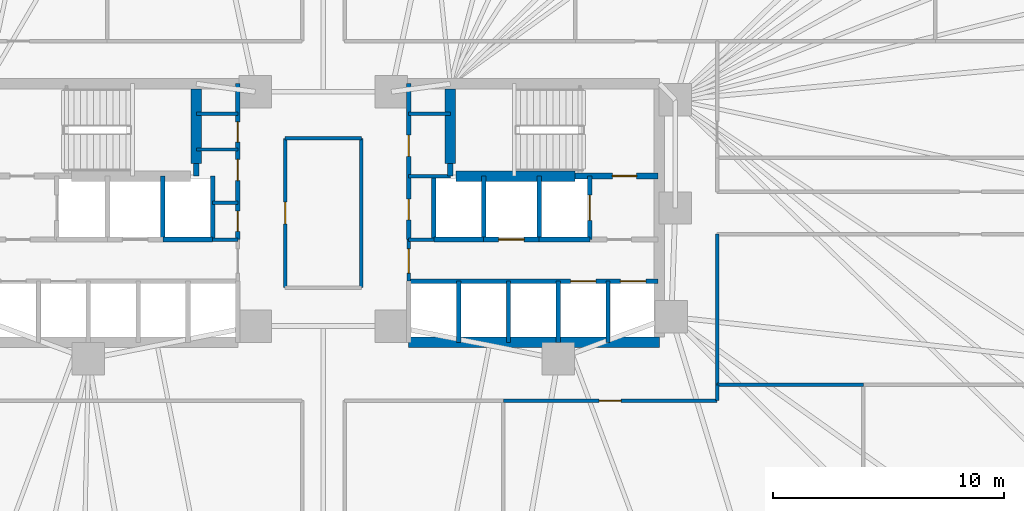
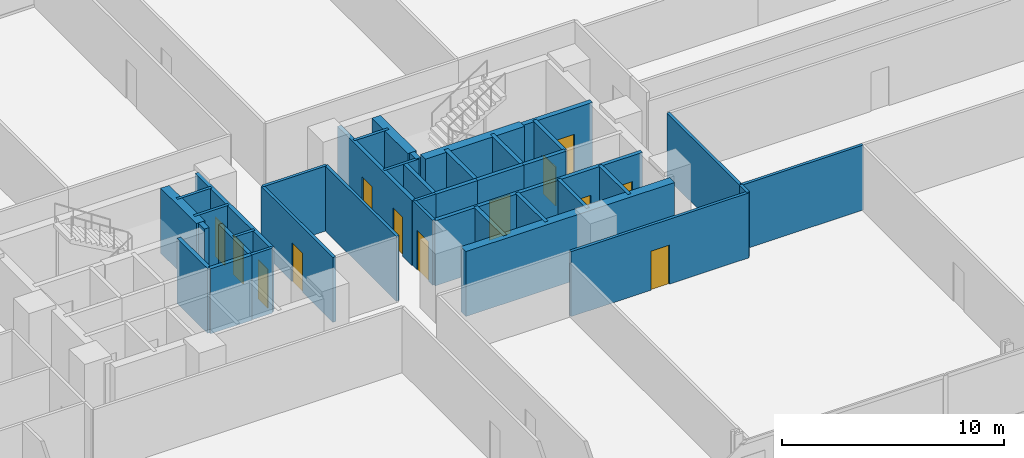
# One storey, part 13 of 17: 39 walls, 13 doors, 13 openings.
"""IFC4 building model written with IfcOpenShell, lengths in metres."""

from ifc_helpers import new_model, si_unit, direction, frame, frame_2d, origin, place, context, subcontext, project, spatial, rectangle, extrude, material, layer, layer_set, type_object, element, fill, save


model = new_model("IFC4")

# Units and contexts
model_context = context("Model", 3, precision=1e-05, world=origin(), true_north=direction((0.0, 1.0)))
body_context = subcontext(model_context, "Body", "Model", "MODEL_VIEW")
ifc_project = project(units=[si_unit("LENGTHUNIT", "METRE"), si_unit("AREAUNIT", "SQUARE_METRE"), si_unit("VOLUMEUNIT", "CUBIC_METRE"), si_unit("PLANEANGLEUNIT", "RADIAN"), si_unit("MASSUNIT", "GRAM", prefix="KILO")], contexts=[model_context])

# Site, building, storey
site_placement = place(None, origin())
site = spatial("IfcSite", under=ifc_project, at=site_placement, CompositionType="ELEMENT")
building_placement = place(site_placement, origin())
building = spatial("IfcBuilding", under=site, at=building_placement, Name="Menara Jurai Vektor", CompositionType="ELEMENT")
storey_placement = place(building_placement, frame((0.0, 0.0, 21.800048828125)))
storey = spatial("IfcBuildingStorey", under=building, at=storey_placement, Name="L04", CompositionType="ELEMENT", Elevation=21.800048828125)

# Wall
ifc_material_1 = material(Name="Concrete C40/50", Category="concrete")
ifc_layer_1 = layer(ifc_material_1, 0.25)
ifc_layer_set_1 = layer_set([ifc_layer_1], Name="Concrete C40/50")
wall_type_1 = type_object("IfcWallType", Name="INT-WALL-CORE-250", PredefinedType="STANDARD", material=ifc_layer_set_1)
wall_1_placement = place(storey_placement, frame((-5.5, 1.60009765625, 0.0), z_axis=(0.0, 0.0, 1.0), x_axis=(0.0, 1.0, 0.0)))
element("IfcWall", 1, at=wall_1_placement, inside=storey, type_object=wall_type_1, Name="Interior Wall IW-250 L04", PredefinedType="STANDARD", context=body_context, shape_type="SweptSolid", body=[
    extrude(rectangle(XDim=0.5498046875, YDim=0.25, at=frame_2d((0.27490234375, 0.0))), origin(), (0.0, 0.0, 1.0), 3.574951171875),
])

# Wall, opening, door
wall_2_placement = place(storey_placement, frame((10.89990234375, 1.60009765625, 0.0), z_axis=(0.0, 0.0, 1.0), x_axis=(1.0, 0.0, 0.0)))
wall_2 = element("IfcWall", 2, at=wall_2_placement, inside=storey, type_object=wall_type_1, Name="Interior Wall IW-250 L04", PredefinedType="STANDARD", context=body_context, shape_type="SweptSolid", body=[
    extrude(rectangle(XDim=3.60009765625, YDim=0.25, at=frame_2d((1.800048828125, 0.0))), origin(), (0.0, 0.0, 1.0), 3.574951171875),
])
opening_1_placement = place(wall_2_placement, frame((1.6201171875, 0.0, 0.0)))
opening_1 = element("IfcOpeningElement", 3, at=opening_1_placement, cuts=wall_2, Name="Opening D-L04-ST2", PredefinedType="OPENING", context=body_context, shape_type="SweptSolid", body=[
    extrude(rectangle(XDim=1.050048828125, YDim=2.14990234375, at=frame_2d((0.52490234375, 1.074951171875))), frame((0.0, 0.135009765625, 0.0), z_axis=(0.0, -1.0, 0.0), x_axis=(1.0, 0.0, 0.0)), (0.0, 0.0, 1.0), 0.27001953125),
])
ifc_material_2 = material(Name="Fire-Rated Steel Door", Category="steel")
door_type_1 = type_object("IfcDoorType", Name="DR-STAIR-1050", OperationType="NOTDEFINED", PredefinedType="DOOR", material=ifc_material_2)
door_1_placement = place(opening_1_placement, origin())
door_1 = element("IfcDoor", 4, at=door_1_placement, inside=storey, type_object=door_type_1, Name="Exit Stair ST2 Door L04", OperationType="SINGLE_SWING_LEFT", OverallHeight=2.14990234375, OverallWidth=1.050048828125, PredefinedType="DOOR", context=body_context, shape_type="SweptSolid", body=[
    extrude(rectangle(XDim=1.050048828125, YDim=2.14990234375, at=frame_2d((0.52490234375, 1.074951171875))), frame((0.0, 0.02490234375, 0.0), z_axis=(0.0, -1.0, 0.0), x_axis=(1.0, 0.0, 0.0)), (0.0, 0.0, 1.0), 0.050048828125),
])
fill(opening_1, door_1)

# Wall
wall_3_placement = place(storey_placement, frame((5.5, 1.60009765625, 0.0), z_axis=(0.0, 0.0, 1.0), x_axis=(0.0, 1.0, 0.0)))
element("IfcWall", 5, at=wall_3_placement, inside=storey, type_object=wall_type_1, Name="Interior Wall IW-250 L04", PredefinedType="STANDARD", context=body_context, shape_type="SweptSolid", body=[
    extrude(rectangle(XDim=0.5498046875, YDim=0.25, at=frame_2d((0.27490234375, 0.0))), origin(), (0.0, 0.0, 1.0), 3.574951171875),
])

# Wall, opening, door
wall_4_placement = place(storey_placement, frame((11.550048828125, -1.14990234375, 0.0), z_axis=(0.0, 0.0, 1.0), x_axis=(0.0, 1.0, 0.0)))
wall_4 = element("IfcWall", 6, at=wall_4_placement, inside=storey, type_object=wall_type_1, Name="Interior Wall IW-250 L04", PredefinedType="STANDARD", context=body_context, shape_type="SweptSolid", body=[
    extrude(rectangle(XDim=2.75, YDim=0.199951171875, at=frame_2d((1.375, 0.0))), origin(), (0.0, 0.0, 1.0), 3.574951171875),
])
opening_2_placement = place(wall_4_placement, frame((0.824951171875, 0.0, 0.0)))
opening_2 = element("IfcOpeningElement", 7, at=opening_2_placement, cuts=wall_4, Name="Opening LD-L04-FL2", PredefinedType="OPENING", context=body_context, shape_type="SweptSolid", body=[
    extrude(rectangle(XDim=1.10009765625, YDim=2.14990234375, at=frame_2d((0.550048828125, 1.074951171875))), frame((0.0, 0.10986328125, 0.0), z_axis=(0.0, -1.0, 0.0), x_axis=(1.0, 0.0, 0.0)), (0.0, 0.0, 1.0), 0.219970703125),
])
ifc_material_3 = material(Name="Stainless Steel Sliding Lift Landing Door", Category="steel")
door_type_2 = type_object("IfcDoorType", Name="DR-LIFT-FIRE-1100", OperationType="NOTDEFINED", PredefinedType="DOOR", material=ifc_material_3)
door_2_placement = place(opening_2_placement, origin())
door_2 = element("IfcDoor", 8, at=door_2_placement, inside=storey, type_object=door_type_2, Name="Lift Landing Door FL2 L04", OperationType="SLIDING_TO_RIGHT", OverallHeight=2.14990234375, OverallWidth=1.10009765625, PredefinedType="DOOR", context=body_context, shape_type="SweptSolid", body=[
    extrude(rectangle(XDim=1.10009765625, YDim=2.14990234375, at=frame_2d((0.550048828125, 1.074951171875))), frame((0.0, 0.02490234375, 0.0), z_axis=(0.0, -1.0, 0.0), x_axis=(1.0, 0.0, 0.0)), (0.0, 0.0, 1.0), 0.050048828125),
])
fill(opening_2, door_2)

# Walls
wall_5_placement = place(storey_placement, frame((9.35009765625, -1.14990234375, 0.0), z_axis=(0.0, 0.0, 1.0), x_axis=(0.0, 1.0, 0.0)))
element("IfcWall", 9, at=wall_5_placement, inside=storey, type_object=wall_type_1, Name="Interior Wall IW-250 L04", PredefinedType="STANDARD", context=body_context, shape_type="SweptSolid", body=[
    extrude(rectangle(XDim=2.75, YDim=0.199951171875, at=frame_2d((1.375, 0.0))), origin(), (0.0, 0.0, 1.0), 3.574951171875),
])
wall_6_placement = place(storey_placement, frame((9.35009765625, -1.14990234375, 0.0), z_axis=(0.0, 0.0, 1.0), x_axis=(1.0, 0.0, 0.0)))
element("IfcWall", 10, at=wall_6_placement, inside=storey, type_object=wall_type_1, Name="Interior Wall IW-250 L04", PredefinedType="STANDARD", context=body_context, shape_type="SweptSolid", body=[
    extrude(rectangle(XDim=2.199951171875, YDim=0.199951171875, at=frame_2d((1.10009765625, 0.0))), origin(), (0.0, 0.0, 1.0), 3.574951171875),
])
ifc_material_4 = material(Name="Gypsum Fireboard Partition", Category="gypsum")
ifc_layer_2 = layer(ifc_material_4, 0.14990234375)
ifc_layer_set_2 = layer_set([ifc_layer_2], Name="Gypsum Fireboard Partition")
wall_type_2 = type_object("IfcWallType", Name="INT-WALL-CORR-150", PredefinedType="PARTITIONING", material=ifc_layer_set_2)
wall_7_placement = place(storey_placement, frame((-4.7900390625, -1.14990234375, 0.0), z_axis=(0.0, 0.0, 1.0), x_axis=(1.0, 0.0, 0.0)))
element("IfcWall", 11, at=wall_7_placement, inside=storey, type_object=wall_type_2, Name="Interior Wall IW-150 L04", PredefinedType="PARTITIONING", context=body_context, shape_type="SweptSolid", body=[
    extrude(rectangle(XDim=1.090087890625, YDim=0.14990234375, at=frame_2d((0.544921875, 0.0))), origin(), (0.0, 0.0, 1.0), 3.574951171875),
])

# Wall, opening, door
wall_8_placement = place(storey_placement, frame((3.699951171875, -2.949951171875, 0.0), z_axis=(0.0, 0.0, 1.0), x_axis=(0.0, 1.0, 0.0)))
wall_8 = element("IfcWall", 12, at=wall_8_placement, inside=storey, type_object=wall_type_2, Name="Interior Wall IW-150 L04", PredefinedType="PARTITIONING", context=body_context, shape_type="SweptSolid", body=[
    extrude(rectangle(XDim=1.800048828125, YDim=0.14990234375, at=frame_2d((0.89990234375, 0.0))), origin(), (0.0, 0.0, 1.0), 3.574951171875),
])
opening_3_placement = place(wall_8_placement, frame((0.35009765625, 0.0, 0.0)))
opening_3 = element("IfcOpeningElement", 13, at=opening_3_placement, cuts=wall_8, Name="Opening D-L04-LLE", PredefinedType="OPENING", context=body_context, shape_type="SweptSolid", body=[
    extrude(rectangle(XDim=1.050048828125, YDim=2.179931640625, at=frame_2d((0.52490234375, 1.08984375))), frame((0.0, 0.0849609375, 0.0), z_axis=(0.0, -1.0, 0.0), x_axis=(1.0, 0.0, 0.0)), (0.0, 0.0, 1.0), 0.169921875),
])
ifc_material_5 = material(Name="Fire-Rated Timber Door", Category="wood")
door_type_3 = type_object("IfcDoorType", Name="DR-LOBBY-1050", OperationType="NOTDEFINED", PredefinedType="DOOR", material=ifc_material_5)
door_3_placement = place(opening_3_placement, frame((1.050048828125, 0.0, 0.0), z_axis=(0.0, 0.0, 1.0), x_axis=(-1.0, 0.0, 0.0)))
door_3 = element("IfcDoor", 14, at=door_3_placement, inside=storey, type_object=door_type_3, Name="Lift Lobby Corridor Door E L04", OperationType="SINGLE_SWING_RIGHT", OverallHeight=2.179931640625, OverallWidth=1.050048828125, PredefinedType="DOOR", context=body_context, shape_type="SweptSolid", body=[
    extrude(rectangle(XDim=1.050048828125, YDim=2.179931640625, at=frame_2d((0.52490234375, 1.08984375))), frame((0.0, 0.02490234375, 0.0), z_axis=(0.0, -1.0, 0.0), x_axis=(1.0, 0.0, 0.0)), (0.0, 0.0, 1.0), 0.050048828125),
])
fill(opening_3, door_3)

# Walls
wall_9_placement = place(storey_placement, frame((3.699951171875, -1.14990234375, 0.0), z_axis=(0.0, 0.0, 1.0), x_axis=(1.0, 0.0, 0.0)))
element("IfcWall", 15, at=wall_9_placement, inside=storey, type_object=wall_type_2, Name="Interior Wall IW-150 L04", PredefinedType="PARTITIONING", context=body_context, shape_type="SweptSolid", body=[
    extrude(rectangle(XDim=1.090087890625, YDim=0.14990234375, at=frame_2d((0.544921875, 0.0))), origin(), (0.0, 0.0, 1.0), 3.574951171875),
])
wall_10_placement = place(storey_placement, frame((-5.5, 4.300048828125, 0.0), z_axis=(0.0, 0.0, 1.0), x_axis=(1.0, 0.0, 0.0)))
element("IfcWall", 16, at=wall_10_placement, inside=storey, type_object=wall_type_2, Name="Interior Wall IW-150 L04", PredefinedType="PARTITIONING", context=body_context, shape_type="SweptSolid", body=[
    extrude(rectangle(XDim=1.800048828125, YDim=0.14990234375, at=frame_2d((0.89990234375, 0.0))), origin(), (0.0, 0.0, 1.0), 3.574951171875),
])
wall_11_placement = place(storey_placement, frame((-4.7900390625, 0.449951171875, 0.0), z_axis=(0.0, 0.0, 1.0), x_axis=(1.0, 0.0, 0.0)))
element("IfcWall", 17, at=wall_11_placement, inside=storey, type_object=wall_type_2, Name="Interior Wall IW-150 L04", PredefinedType="PARTITIONING", context=body_context, shape_type="SweptSolid", body=[
    extrude(rectangle(XDim=1.090087890625, YDim=0.14990234375, at=frame_2d((0.544921875, 0.0))), origin(), (0.0, 0.0, 1.0), 3.574951171875),
])
for number, where, z_axis, x_axis, name in (
    (18, (-5.5, 2.75, 0.0), (0.0, 0.0, 1.0), (1.0, 0.0, 0.0), "Interior Wall IW-150 L04"),
    (19, (3.699951171875, 4.300048828125, 0.0), (0.0, 0.0, 1.0), (1.0, 0.0, 0.0), "Interior Wall IW-150 L04"),
    (20, (3.699951171875, 1.60009765625, 0.0), (0.0, 0.0, 1.0), (1.0, 0.0, 0.0), "Interior Wall IW-150 L04"),
):
    element("IfcWall", number, at=place(storey_placement, frame(where, z_axis=z_axis, x_axis=x_axis)), inside=storey, type_object=wall_type_2, Name=name, PredefinedType="PARTITIONING", context=body_context, shape_type="SweptSolid", body=[
        extrude(rectangle(XDim=1.800048828125, YDim=0.14990234375, at=frame_2d((0.89990234375, 0.0))), origin(), (0.0, 0.0, 1.0), 3.574951171875),
    ])

# Wall, opening, door
wall_12_placement = place(storey_placement, frame((-1.64990234375, -3.22998046875, 0.0), z_axis=(0.0, 0.0, 1.0), x_axis=(0.0, 1.0, 0.0)))
wall_12 = element("IfcWall", 21, at=wall_12_placement, inside=storey, type_object=wall_type_2, Name="Interior Wall IW-150 L04", PredefinedType="PARTITIONING", context=body_context, shape_type="SweptSolid", body=[
    extrude(rectangle(XDim=6.4599609375, YDim=0.14990234375, at=frame_2d((3.22998046875, 0.0))), origin(), (0.0, 0.0, 1.0), 3.574951171875),
])
opening_4_placement = place(wall_12_placement, frame((2.7548828125, 0.0, 0.0)))
opening_4 = element("IfcOpeningElement", 22, at=opening_4_placement, cuts=wall_12, Name="Opening D04-06", PredefinedType="OPENING", context=body_context, shape_type="SweptSolid", body=[
    extrude(rectangle(XDim=0.949951171875, YDim=2.14990234375, at=frame_2d((0.47509765625, 1.074951171875))), frame((0.0, 0.0849609375, 0.0), z_axis=(0.0, -1.0, 0.0), x_axis=(1.0, 0.0, 0.0)), (0.0, 0.0, 1.0), 0.169921875),
])
ifc_material_6 = material(Name="Solid Core Timber Fire Door", Category="wood")
door_type_4 = type_object("IfcDoorType", Name="DR-ENTRY-950", OperationType="NOTDEFINED", PredefinedType="DOOR", material=ifc_material_6)
door_4_placement = place(opening_4_placement, origin())
door_4 = element("IfcDoor", 23, at=door_4_placement, inside=storey, type_object=door_type_4, Name="Interior Door D04-06", OperationType="SINGLE_SWING_LEFT", OverallHeight=2.14990234375, OverallWidth=0.949951171875, PredefinedType="DOOR", context=body_context, shape_type="SweptSolid", body=[
    extrude(rectangle(XDim=0.949951171875, YDim=2.14990234375, at=frame_2d((0.47509765625, 1.074951171875))), frame((0.0, 0.02490234375, 0.0), z_axis=(0.0, -1.0, 0.0), x_axis=(1.0, 0.0, 0.0)), (0.0, 0.0, 1.0), 0.050048828125),
])
fill(opening_4, door_4)

# Walls
wall_13_placement = place(storey_placement, frame((-1.64990234375, 3.22998046875, 0.0), z_axis=(0.0, 0.0, 1.0), x_axis=(1.0, 0.0, 0.0)))
element("IfcWall", 24, at=wall_13_placement, inside=storey, type_object=wall_type_2, Name="Interior Wall IW-150 L04", PredefinedType="PARTITIONING", context=body_context, shape_type="SweptSolid", body=[
    extrude(rectangle(XDim=3.2998046875, YDim=0.14990234375, at=frame_2d((1.64990234375, 0.0))), origin(), (0.0, 0.0, 1.0), 3.574951171875),
])
wall_14_placement = place(storey_placement, frame((1.64990234375, -3.22998046875, 0.0), z_axis=(0.0, 0.0, 1.0), x_axis=(0.0, 1.0, 0.0)))
element("IfcWall", 25, at=wall_14_placement, inside=storey, type_object=wall_type_2, Name="Interior Wall IW-150 L04", PredefinedType="PARTITIONING", context=body_context, shape_type="SweptSolid", body=[
    extrude(rectangle(XDim=6.4599609375, YDim=0.14990234375, at=frame_2d((3.22998046875, 0.0))), origin(), (0.0, 0.0, 1.0), 3.574951171875),
])

# Wall, opening, door
wall_15_placement = place(storey_placement, frame((7.800048828125, -8.1298828125, 0.0), z_axis=(0.0, 0.0, 1.0), x_axis=(1.0, 0.0, 0.0)))
wall_15 = element("IfcWall", 26, at=wall_15_placement, inside=storey, type_object=wall_type_2, Name="Interior Wall IW-150 L04", PredefinedType="PARTITIONING", context=body_context, shape_type="SweptSolid", body=[
    extrude(rectangle(XDim=9.259033203125, YDim=0.14990234375, at=frame_2d((4.62939453125, 0.0))), origin(), (0.0, 0.0, 1.0), 3.574951171875),
])
opening_5_placement = place(wall_15_placement, frame((4.154541015625, 0.0, 0.0)))
opening_5 = element("IfcOpeningElement", 27, at=opening_5_placement, cuts=wall_15, Name="Opening D04-13", PredefinedType="OPENING", context=body_context, shape_type="SweptSolid", body=[
    extrude(rectangle(XDim=0.949951171875, YDim=2.14990234375, at=frame_2d((0.47509765625, 1.074951171875))), frame((0.0, 0.0849609375, 0.0), z_axis=(0.0, -1.0, 0.0), x_axis=(1.0, 0.0, 0.0)), (0.0, 0.0, 1.0), 0.169921875),
])
door_5_placement = place(opening_5_placement, origin())
door_5 = element("IfcDoor", 28, at=door_5_placement, inside=storey, type_object=door_type_4, Name="Interior Door D04-13", OperationType="SINGLE_SWING_RIGHT", OverallHeight=2.14990234375, OverallWidth=0.949951171875, PredefinedType="DOOR", context=body_context, shape_type="SweptSolid", body=[
    extrude(rectangle(XDim=0.949951171875, YDim=2.14990234375, at=frame_2d((0.47509765625, 1.074951171875))), frame((0.0, 0.02490234375, 0.0), z_axis=(0.0, -1.0, 0.0), x_axis=(1.0, 0.0, 0.0)), (0.0, 0.0, 1.0), 0.050048828125),
])
fill(opening_5, door_5)

# Walls
wall_16_placement = place(storey_placement, frame((17.05908203125, -8.1298828125, 0.0), z_axis=(0.0, 0.0, 1.0), x_axis=(0.0, 1.0, 0.0)))
element("IfcWall", 29, at=wall_16_placement, inside=storey, type_object=wall_type_2, Name="Interior Wall IW-150 L04", PredefinedType="PARTITIONING", context=body_context, shape_type="SweptSolid", body=[
    extrude(rectangle(XDim=0.679931640625, YDim=0.14990234375, at=frame_2d((0.33984375, 0.0))), origin(), (0.0, 0.0, 1.0), 3.574951171875),
])
wall_17_placement = place(storey_placement, frame((17.05908203125, -7.449951171875, 0.0), z_axis=(0.0, 0.0, 1.0), x_axis=(0.0, 1.0, 0.0)))
element("IfcWall", 30, at=wall_17_placement, inside=storey, type_object=wall_type_2, Name="Interior Wall IW-150 L04", PredefinedType="PARTITIONING", context=body_context, shape_type="SweptSolid", body=[
    extrude(rectangle(XDim=6.530029296875, YDim=0.14990234375, at=frame_2d((3.26513671875, 0.0))), origin(), (0.0, 0.0, 1.0), 3.574951171875),
])
wall_18_placement = place(storey_placement, frame((17.05908203125, -7.449951171875, 0.0), z_axis=(0.0, 0.0, 1.0), x_axis=(1.0, 0.0, 0.0)))
element("IfcWall", 31, at=wall_18_placement, inside=storey, type_object=wall_type_2, Name="Interior Wall IW-150 L04", PredefinedType="PARTITIONING", context=body_context, shape_type="SweptSolid", body=[
    extrude(rectangle(XDim=6.3408203125, YDim=0.14990234375, at=frame_2d((3.17041015625, 0.0))), origin(), (0.0, 0.0, 1.0), 3.574951171875),
])

# Wall, openings, doors
ifc_layer_3 = layer(ifc_material_1, 0.199951171875)
ifc_layer_set_3 = layer_set([ifc_layer_3], Name="Concrete C40/50")
wall_type_3 = type_object("IfcWallType", Name="INT-WALL-SHAFT-200", PredefinedType="STANDARD", material=ifc_layer_set_3)
wall_19_placement = place(storey_placement, frame((-3.699951171875, -1.14990234375, 0.0), z_axis=(0.0, 0.0, 1.0), x_axis=(0.0, 1.0, 0.0)))
wall_19 = element("IfcWall", 32, at=wall_19_placement, inside=storey, type_object=wall_type_3, Name="Interior Wall IW-200 L04", PredefinedType="STANDARD", context=body_context, shape_type="SweptSolid", body=[
    extrude(rectangle(XDim=6.75, YDim=0.199951171875, at=frame_2d((3.375, 0.0))), origin(), (0.0, 0.0, 1.0), 3.574951171875),
])
opening_6_placement = place(wall_19_placement, frame((0.35009765625, 0.0, 0.0)))
opening_6 = element("IfcOpeningElement", 33, at=opening_6_placement, cuts=wall_19, Name="Opening D04-01", PredefinedType="OPENING", context=body_context, shape_type="SweptSolid", body=[
    extrude(rectangle(XDim=0.8798828125, YDim=2.14990234375, at=frame_2d((0.43994140625, 1.074951171875))), frame((0.0, 0.10986328125, 0.0), z_axis=(0.0, -1.0, 0.0), x_axis=(1.0, 0.0, 0.0)), (0.0, 0.0, 1.0), 0.219970703125),
])
opening_7_placement = place(wall_19_placement, frame((2.550048828125, 0.0, 0.0)))
opening_7 = element("IfcOpeningElement", 34, at=opening_7_placement, cuts=wall_19, Name="Opening D04-02", PredefinedType="OPENING", context=body_context, shape_type="SweptSolid", body=[
    extrude(rectangle(XDim=0.919921875, YDim=2.14990234375, at=frame_2d((0.4599609375, 1.074951171875))), frame((0.0, 0.10986328125, 0.0), z_axis=(0.0, -1.0, 0.0), x_axis=(1.0, 0.0, 0.0)), (0.0, 0.0, 1.0), 0.219970703125),
])
opening_8_placement = place(wall_19_placement, frame((4.219970703125, 0.0, 0.0)))
opening_8 = element("IfcOpeningElement", 35, at=opening_8_placement, cuts=wall_19, Name="Opening D04-03", PredefinedType="OPENING", context=body_context, shape_type="SweptSolid", body=[
    extrude(rectangle(XDim=0.8798828125, YDim=2.14990234375, at=frame_2d((0.43994140625, 1.074951171875))), frame((0.0, 0.10986328125, 0.0), z_axis=(0.0, -1.0, 0.0), x_axis=(1.0, 0.0, 0.0)), (0.0, 0.0, 1.0), 0.219970703125),
])
door_6_placement = place(opening_6_placement, origin())
door_6 = element("IfcDoor", 36, at=door_6_placement, inside=storey, type_object=door_type_4, Name="Interior Door D04-01", OperationType="SINGLE_SWING_LEFT", OverallHeight=2.14990234375, OverallWidth=0.8798828125, PredefinedType="DOOR", context=body_context, shape_type="SweptSolid", body=[
    extrude(rectangle(XDim=0.8798828125, YDim=2.14990234375, at=frame_2d((0.43994140625, 1.074951171875))), frame((0.0, 0.02490234375, 0.0), z_axis=(0.0, -1.0, 0.0), x_axis=(1.0, 0.0, 0.0)), (0.0, 0.0, 1.0), 0.050048828125),
])
fill(opening_6, door_6)
door_7_placement = place(opening_7_placement, origin())
door_7 = element("IfcDoor", 37, at=door_7_placement, inside=storey, type_object=door_type_4, Name="Interior Door D04-02", OperationType="SINGLE_SWING_LEFT", OverallHeight=2.14990234375, OverallWidth=0.919921875, PredefinedType="DOOR", context=body_context, shape_type="SweptSolid", body=[
    extrude(rectangle(XDim=0.919921875, YDim=2.14990234375, at=frame_2d((0.4599609375, 1.074951171875))), frame((0.0, 0.02490234375, 0.0), z_axis=(0.0, -1.0, 0.0), x_axis=(1.0, 0.0, 0.0)), (0.0, 0.0, 1.0), 0.050048828125),
])
fill(opening_7, door_7)
door_8_placement = place(opening_8_placement, origin())
door_8 = element("IfcDoor", 38, at=door_8_placement, inside=storey, type_object=door_type_4, Name="Interior Door D04-03", OperationType="SINGLE_SWING_LEFT", OverallHeight=2.14990234375, OverallWidth=0.8798828125, PredefinedType="DOOR", context=body_context, shape_type="SweptSolid", body=[
    extrude(rectangle(XDim=0.8798828125, YDim=2.14990234375, at=frame_2d((0.43994140625, 1.074951171875))), frame((0.0, 0.02490234375, 0.0), z_axis=(0.0, -1.0, 0.0), x_axis=(1.0, 0.0, 0.0)), (0.0, 0.0, 1.0), 0.050048828125),
])
fill(opening_8, door_8)

# Walls
for number, where, z_axis, x_axis, name in (
    (39, (-6.949951171875, -1.14990234375, 0.0), (0.0, 0.0, 1.0), (0.0, 1.0, 0.0), "Interior Wall IW-200 L04"),
    (40, (-4.7900390625, -1.14990234375, 0.0), (0.0, 0.0, 1.0), (0.0, 1.0, 0.0), "Interior Wall IW-200 L04"),
):
    element("IfcWall", number, at=place(storey_placement, frame(where, z_axis=z_axis, x_axis=x_axis)), inside=storey, type_object=wall_type_3, Name=name, PredefinedType="STANDARD", context=body_context, shape_type="SweptSolid", body=[
        extrude(rectangle(XDim=2.75, YDim=0.199951171875, at=frame_2d((1.375, 0.0))), origin(), (0.0, 0.0, 1.0), 3.574951171875),
    ])
wall_20_placement = place(storey_placement, frame((-6.949951171875, -1.14990234375, 0.0), z_axis=(0.0, 0.0, 1.0), x_axis=(1.0, 0.0, 0.0)))
element("IfcWall", 41, at=wall_20_placement, inside=storey, type_object=wall_type_3, Name="Interior Wall IW-200 L04", PredefinedType="STANDARD", context=body_context, shape_type="SweptSolid", body=[
    extrude(rectangle(XDim=2.159912109375, YDim=0.199951171875, at=frame_2d((1.080078125, 0.0))), origin(), (0.0, 0.0, 1.0), 3.574951171875),
])

# Wall, openings, doors
wall_21_placement = place(storey_placement, frame((3.699951171875, -1.14990234375, 0.0), z_axis=(0.0, 0.0, 1.0), x_axis=(0.0, 1.0, 0.0)))
wall_21 = element("IfcWall", 42, at=wall_21_placement, inside=storey, type_object=wall_type_3, Name="Interior Wall IW-200 L04", PredefinedType="STANDARD", context=body_context, shape_type="SweptSolid", body=[
    extrude(rectangle(XDim=6.75, YDim=0.199951171875, at=frame_2d((3.375, 0.0))), origin(), (0.0, 0.0, 1.0), 3.574951171875),
])
opening_9_placement = place(wall_21_placement, frame((3.60009765625, 0.0, 0.0)))
opening_9 = element("IfcOpeningElement", 43, at=opening_9_placement, cuts=wall_21, Name="Opening D04-04", PredefinedType="OPENING", context=body_context, shape_type="SweptSolid", body=[
    extrude(rectangle(XDim=0.919921875, YDim=2.14990234375, at=frame_2d((0.4599609375, 1.074951171875))), frame((0.0, 0.10986328125, 0.0), z_axis=(0.0, -1.0, 0.0), x_axis=(1.0, 0.0, 0.0)), (0.0, 0.0, 1.0), 0.219970703125),
])
opening_10_placement = place(wall_21_placement, frame((0.85009765625, 0.0, 0.0)))
opening_10 = element("IfcOpeningElement", 44, at=opening_10_placement, cuts=wall_21, Name="Opening D04-05", PredefinedType="OPENING", context=body_context, shape_type="SweptSolid", body=[
    extrude(rectangle(XDim=0.89990234375, YDim=2.14990234375, at=frame_2d((0.449951171875, 1.074951171875))), frame((0.0, 0.10986328125, 0.0), z_axis=(0.0, -1.0, 0.0), x_axis=(1.0, 0.0, 0.0)), (0.0, 0.0, 1.0), 0.219970703125),
])
door_9_placement = place(opening_9_placement, origin())
door_9 = element("IfcDoor", 45, at=door_9_placement, inside=storey, type_object=door_type_4, Name="Interior Door D04-04", OperationType="SINGLE_SWING_RIGHT", OverallHeight=2.14990234375, OverallWidth=0.919921875, PredefinedType="DOOR", context=body_context, shape_type="SweptSolid", body=[
    extrude(rectangle(XDim=0.919921875, YDim=2.14990234375, at=frame_2d((0.4599609375, 1.074951171875))), frame((0.0, 0.02490234375, 0.0), z_axis=(0.0, -1.0, 0.0), x_axis=(1.0, 0.0, 0.0)), (0.0, 0.0, 1.0), 0.050048828125),
])
fill(opening_9, door_9)
door_10_placement = place(opening_10_placement, origin())
door_10 = element("IfcDoor", 46, at=door_10_placement, inside=storey, type_object=door_type_4, Name="Interior Door D04-05", OperationType="SINGLE_SWING_RIGHT", OverallHeight=2.14990234375, OverallWidth=0.89990234375, PredefinedType="DOOR", context=body_context, shape_type="SweptSolid", body=[
    extrude(rectangle(XDim=0.89990234375, YDim=2.14990234375, at=frame_2d((0.449951171875, 1.074951171875))), frame((0.0, 0.02490234375, 0.0), z_axis=(0.0, -1.0, 0.0), x_axis=(1.0, 0.0, 0.0)), (0.0, 0.0, 1.0), 0.050048828125),
])
fill(opening_10, door_10)

# Wall
wall_22_placement = place(storey_placement, frame((6.949951171875, -1.14990234375, 0.0), z_axis=(0.0, 0.0, 1.0), x_axis=(0.0, 1.0, 0.0)))
element("IfcWall", 47, at=wall_22_placement, inside=storey, type_object=wall_type_3, Name="Interior Wall IW-200 L04", PredefinedType="STANDARD", context=body_context, shape_type="SweptSolid", body=[
    extrude(rectangle(XDim=2.75, YDim=0.199951171875, at=frame_2d((1.375, 0.0))), origin(), (0.0, 0.0, 1.0), 3.574951171875),
])

# Wall, opening, door
wall_23_placement = place(storey_placement, frame((6.949951171875, -1.14990234375, 0.0), z_axis=(0.0, 0.0, 1.0), x_axis=(1.0, 0.0, 0.0)))
wall_23 = element("IfcWall", 48, at=wall_23_placement, inside=storey, type_object=wall_type_3, Name="Interior Wall IW-200 L04", PredefinedType="STANDARD", context=body_context, shape_type="SweptSolid", body=[
    extrude(rectangle(XDim=2.400146484375, YDim=0.199951171875, at=frame_2d((1.2001953125, 0.0))), origin(), (0.0, 0.0, 1.0), 3.574951171875),
])
opening_11_placement = place(wall_23_placement, frame((0.64990234375, 0.0, 0.0)))
opening_11 = element("IfcOpeningElement", 49, at=opening_11_placement, cuts=wall_23, Name="Opening LD-L04-SVL2", PredefinedType="OPENING", context=body_context, shape_type="SweptSolid", body=[
    extrude(rectangle(XDim=1.10009765625, YDim=2.14990234375, at=frame_2d((0.550048828125, 1.074951171875))), frame((0.0, 0.10986328125, 0.0), z_axis=(0.0, -1.0, 0.0), x_axis=(1.0, 0.0, 0.0)), (0.0, 0.0, 1.0), 0.219970703125),
])
ifc_material_7 = material(Name="Anodised Stainless Sliding Lift Landing Door", Category="steel")
door_type_5 = type_object("IfcDoorType", Name="DR-LIFT-PASS-1100", OperationType="NOTDEFINED", PredefinedType="DOOR", material=ifc_material_7)
door_11_placement = place(opening_11_placement, origin())
door_11 = element("IfcDoor", 50, at=door_11_placement, inside=storey, type_object=door_type_5, Name="Lift Landing Door SVL2 L04", OperationType="SLIDING_TO_RIGHT", OverallHeight=2.14990234375, OverallWidth=1.10009765625, PredefinedType="DOOR", context=body_context, shape_type="SweptSolid", body=[
    extrude(rectangle(XDim=1.10009765625, YDim=2.14990234375, at=frame_2d((0.550048828125, 1.074951171875))), frame((0.0, 0.02490234375, 0.0), z_axis=(0.0, -1.0, 0.0), x_axis=(1.0, 0.0, 0.0)), (0.0, 0.0, 1.0), 0.050048828125),
])
fill(opening_11, door_11)

# Walls
wall_24_placement = place(storey_placement, frame((4.7900390625, -1.14990234375, 0.0), z_axis=(0.0, 0.0, 1.0), x_axis=(0.0, 1.0, 0.0)))
element("IfcWall", 51, at=wall_24_placement, inside=storey, type_object=wall_type_3, Name="Interior Wall IW-200 L04", PredefinedType="STANDARD", context=body_context, shape_type="SweptSolid", body=[
    extrude(rectangle(XDim=2.75, YDim=0.199951171875, at=frame_2d((1.375, 0.0))), origin(), (0.0, 0.0, 1.0), 3.574951171875),
])
wall_25_placement = place(storey_placement, frame((4.7900390625, -1.14990234375, 0.0), z_axis=(0.0, 0.0, 1.0), x_axis=(1.0, 0.0, 0.0)))
element("IfcWall", 52, at=wall_25_placement, inside=storey, type_object=wall_type_3, Name="Interior Wall IW-200 L04", PredefinedType="STANDARD", context=body_context, shape_type="SweptSolid", body=[
    extrude(rectangle(XDim=2.159912109375, YDim=0.199951171875, at=frame_2d((1.080078125, 0.0))), origin(), (0.0, 0.0, 1.0), 3.574951171875),
])

# Wall, openings, doors
wall_26_placement = place(storey_placement, frame((3.699951171875, -2.949951171875, 0.0), z_axis=(0.0, 0.0, 1.0), x_axis=(1.0, 0.0, 0.0)))
wall_26 = element("IfcWall", 53, at=wall_26_placement, inside=storey, type_object=wall_type_3, Name="Interior Wall IW-200 L04", PredefinedType="STANDARD", context=body_context, shape_type="SweptSolid", body=[
    extrude(rectangle(XDim=10.800048828125, YDim=0.199951171875, at=frame_2d((5.39990234375, 0.0))), origin(), (0.0, 0.0, 1.0), 3.574951171875),
])
opening_12_placement = place(wall_26_placement, frame((7.010009765625, 0.0, 0.0)))
opening_12 = element("IfcOpeningElement", 54, at=opening_12_placement, cuts=wall_26, Name="Opening LD-L04-PL3", PredefinedType="OPENING", context=body_context, shape_type="SweptSolid", body=[
    extrude(rectangle(XDim=1.10009765625, YDim=2.14990234375, at=frame_2d((0.550048828125, 1.074951171875))), frame((0.0, 0.10986328125, 0.0), z_axis=(0.0, -1.0, 0.0), x_axis=(1.0, 0.0, 0.0)), (0.0, 0.0, 1.0), 0.219970703125),
])
opening_13_placement = place(wall_26_placement, frame((9.169921875, 0.0, 0.0)))
opening_13 = element("IfcOpeningElement", 55, at=opening_13_placement, cuts=wall_26, Name="Opening LD-L04-PL4", PredefinedType="OPENING", context=body_context, shape_type="SweptSolid", body=[
    extrude(rectangle(XDim=1.10009765625, YDim=2.14990234375, at=frame_2d((0.550048828125, 1.074951171875))), frame((0.0, 0.10986328125, 0.0), z_axis=(0.0, -1.0, 0.0), x_axis=(1.0, 0.0, 0.0)), (0.0, 0.0, 1.0), 0.219970703125),
])
door_12_placement = place(opening_12_placement, origin())
door_12 = element("IfcDoor", 56, at=door_12_placement, inside=storey, type_object=door_type_5, Name="Lift Landing Door PL3 L04", OperationType="SLIDING_TO_RIGHT", OverallHeight=2.14990234375, OverallWidth=1.10009765625, PredefinedType="DOOR", context=body_context, shape_type="SweptSolid", body=[
    extrude(rectangle(XDim=1.10009765625, YDim=2.14990234375, at=frame_2d((0.550048828125, 1.074951171875))), frame((0.0, 0.02490234375, 0.0), z_axis=(0.0, -1.0, 0.0), x_axis=(1.0, 0.0, 0.0)), (0.0, 0.0, 1.0), 0.050048828125),
])
fill(opening_12, door_12)
door_13_placement = place(opening_13_placement, origin())
door_13 = element("IfcDoor", 57, at=door_13_placement, inside=storey, type_object=door_type_5, Name="Lift Landing Door PL4 L04", OperationType="SLIDING_TO_LEFT", OverallHeight=2.14990234375, OverallWidth=1.10009765625, PredefinedType="DOOR", context=body_context, shape_type="SweptSolid", body=[
    extrude(rectangle(XDim=1.10009765625, YDim=2.14990234375, at=frame_2d((0.550048828125, 1.074951171875))), frame((0.0, 0.02490234375, 0.0), z_axis=(0.0, -1.0, 0.0), x_axis=(1.0, 0.0, 0.0)), (0.0, 0.0, 1.0), 0.050048828125),
])
fill(opening_13, door_13)

# Walls
wall_27_placement = place(storey_placement, frame((5.860107421875, -5.60009765625, 0.0), z_axis=(0.0, 0.0, 1.0), x_axis=(0.0, 1.0, 0.0)))
element("IfcWall", 58, at=wall_27_placement, inside=storey, type_object=wall_type_3, Name="Interior Wall IW-200 L04", PredefinedType="STANDARD", context=body_context, shape_type="SweptSolid", body=[
    extrude(rectangle(XDim=2.650146484375, YDim=0.199951171875, at=frame_2d((1.3251953125, 0.0))), origin(), (0.0, 0.0, 1.0), 3.574951171875),
])
for number, where, z_axis, x_axis, name in (
    (59, (12.340087890625, -5.60009765625, 0.0), (0.0, 0.0, 1.0), (0.0, 1.0, 0.0), "Interior Wall IW-200 L04"),
    (60, (10.179931640625, -5.60009765625, 0.0), (0.0, 0.0, 1.0), (0.0, 1.0, 0.0), "Interior Wall IW-200 L04"),
    (61, (8.02001953125, -5.60009765625, 0.0), (0.0, 0.0, 1.0), (0.0, 1.0, 0.0), "Interior Wall IW-200 L04"),
):
    element("IfcWall", number, at=place(storey_placement, frame(where, z_axis=z_axis, x_axis=x_axis)), inside=storey, type_object=wall_type_3, Name=name, PredefinedType="STANDARD", context=body_context, shape_type="SweptSolid", body=[
        extrude(rectangle(XDim=2.650146484375, YDim=0.179931640625, at=frame_2d((1.3251953125, 0.0))), origin(), (0.0, 0.0, 1.0), 3.574951171875),
    ])
ifc_material_8 = material(Name="Concrete C60/75", Category="concrete")
ifc_layer_4 = layer(ifc_material_8, 0.449951171875)
ifc_layer_set_4 = layer_set([ifc_layer_4], Name="Concrete C60/75")
wall_type_4 = type_object("IfcWallType", Name="STR-WALL-CORE450", PredefinedType="SHEAR", material=ifc_layer_set_4)
wall_28_placement = place(storey_placement, frame((-5.5, 2.14990234375, 0.0), z_axis=(0.0, 0.0, 1.0), x_axis=(0.0, 1.0, 0.0)))
element("IfcWall", 62, at=wall_28_placement, inside=storey, type_object=wall_type_4, Name="Core Shear Wall CW-W-ST L04", PredefinedType="SHEAR", context=body_context, shape_type="SweptSolid", body=[
    extrude(rectangle(XDim=3.22509765625, YDim=0.449951171875, at=frame_2d((1.612548828125, 0.0))), origin(), (0.0, 0.0, 1.0), 3.574951171875),
])
wall_29_placement = place(storey_placement, frame((3.699951171875, -5.60009765625, 0.0), z_axis=(0.0, 0.0, 1.0), x_axis=(1.0, 0.0, 0.0)))
element("IfcWall", 63, at=wall_29_placement, inside=storey, type_object=wall_type_4, Name="Core Shear Wall CW-E-S L04", PredefinedType="SHEAR", context=body_context, shape_type="SweptSolid", body=[
    extrude(rectangle(XDim=10.860107421875, YDim=0.449951171875, at=frame_2d((5.43017578125, 0.0))), origin(), (0.0, 0.0, 1.0), 3.574951171875),
])
wall_30_placement = place(storey_placement, frame((5.5, 2.14990234375, 0.0), z_axis=(0.0, 0.0, 1.0), x_axis=(0.0, 1.0, 0.0)))
element("IfcWall", 64, at=wall_30_placement, inside=storey, type_object=wall_type_4, Name="Core Shear Wall CW-E-ST L04", PredefinedType="SHEAR", context=body_context, shape_type="SweptSolid", body=[
    extrude(rectangle(XDim=3.22509765625, YDim=0.449951171875, at=frame_2d((1.612548828125, 0.0))), origin(), (0.0, 0.0, 1.0), 3.574951171875),
])
wall_31_placement = place(storey_placement, frame((5.75, 1.60009765625, 0.0), z_axis=(0.0, 0.0, 1.0), x_axis=(1.0, 0.0, 0.0)))
element("IfcWall", 65, at=wall_31_placement, inside=storey, type_object=wall_type_4, Name="Core Shear Wall CW-E-STS L04", PredefinedType="SHEAR", context=body_context, shape_type="SweptSolid", body=[
    extrude(rectangle(XDim=5.14990234375, YDim=0.449951171875, at=frame_2d((2.574951171875, 0.0))), origin(), (0.0, 0.0, 1.0), 3.574951171875),
])

save(model, "model.ifc")
